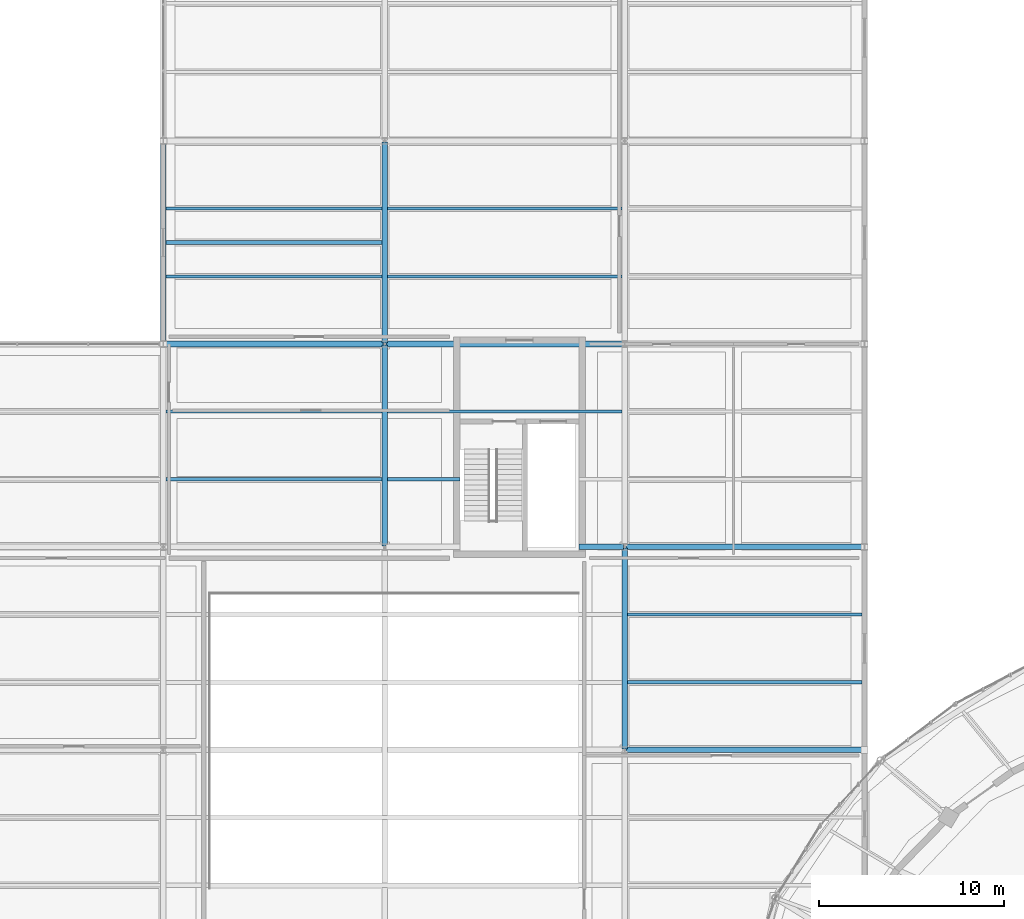
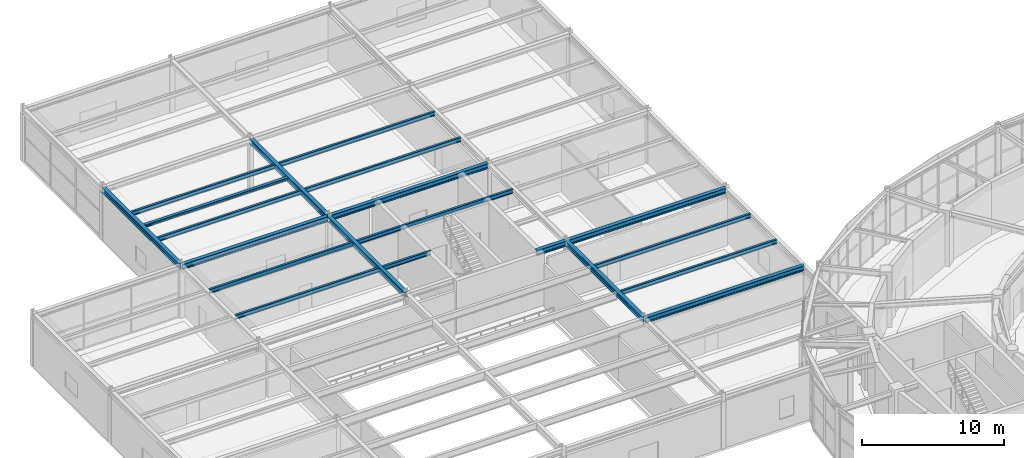
# One storey, part 45 of 100: 20 beams.
"""IFC4 building model written with IfcOpenShell, lengths in metres."""

from ifc_helpers import new_model, si_unit, direction, frame, origin, origin_2d, place, context, subcontext, project, spatial, i_section, extrude, material, material_profile, profile_set, type_object, element, save


model = new_model("IFC4")

# Units and contexts
model_context = context("Model", 3, precision=1e-05, world=origin(), true_north=direction((0.0, 1.0)))
body_context = subcontext(model_context, "Body", "Model", "MODEL_VIEW")
ifc_project = project(units=[si_unit("LENGTHUNIT", "METRE"), si_unit("AREAUNIT", "SQUARE_METRE"), si_unit("VOLUMEUNIT", "CUBIC_METRE"), si_unit("PLANEANGLEUNIT", "RADIAN"), si_unit("MASSUNIT", "GRAM", prefix="KILO")], contexts=[model_context])

# Site, building, storey
site_placement = place(None, origin())
site = spatial("IfcSite", under=ifc_project, at=site_placement, CompositionType="ELEMENT")
building_placement = place(site_placement, origin())
building = spatial("IfcBuilding", under=site, at=building_placement, Name="Tarnveldt Headland Concert Hall", CompositionType="ELEMENT")
storey_placement = place(building_placement, frame((0.0, 0.0, 4.800048828125)))
storey = spatial("IfcBuildingStorey", under=building, at=storey_placement, Name="L01", CompositionType="ELEMENT", Elevation=4.800048828125)

# Beams
ifc_material = material(Name="Steel S355", Category="steel")
ifc_material_profile_1 = material_profile(ifc_material, i_section(OverallWidth=0.239990234375, OverallDepth=0.22998046875, WebThickness=0.007568359375, FlangeThickness=0.011962890625, FilletRadius=0.02099609375, at=origin_2d()), Name="HEA240", Category="steel")
ifc_profile_set_1 = profile_set([ifc_material_profile_1], Name="Steel S355")
beam_type_1 = type_object("IfcBeamType", Name="SB-HEA240", PredefinedType="SPANDREL", material=ifc_profile_set_1)
beam_1_placement = place(storey_placement, frame((19.64990234375, 98.5, 4.425048828125), z_axis=(1.0, 0.0, 0.0), x_axis=(0.0, 1.0, 0.0)))
element("IfcBeam", 1, at=beam_1_placement, inside=storey, type_object=beam_type_1, Name="Framing beam L01-1455", PredefinedType="SPANDREL", context=body_context, shape_type="SweptSolid", body=[
    extrude(i_section(OverallWidth=0.239990234375, OverallDepth=0.22998046875, WebThickness=0.007568359375, FlangeThickness=0.011962890625, FilletRadius=0.02099609375, at=origin_2d()), origin(), (0.0, 0.0, 1.0), 11.7001953125),
])
ifc_material_profile_2 = material_profile(ifc_material, i_section(OverallWidth=0.300048828125, OverallDepth=0.449951171875, WebThickness=0.013916015625, FlangeThickness=0.02587890625, FilletRadius=0.027099609375, at=origin_2d()), Name="HEB450", Category="steel")
ifc_profile_set_2 = profile_set([ifc_material_profile_2], Name="Steel S355")
beam_type_2 = type_object("IfcBeamType", Name="SB-HEB450", PredefinedType="BEAM", material=ifc_profile_set_2)
beam_2_placement = place(storey_placement, frame((44.56005859375, 71.0, 4.31494140625), z_axis=(1.0, 0.0, 0.0), x_axis=(0.0, 1.0, 0.0)))
element("IfcBeam", 2, at=beam_2_placement, inside=storey, type_object=beam_type_2, Name="Framing beam L01-923", PredefinedType="BEAM", context=body_context, shape_type="SweptSolid", body=[
    extrude(i_section(OverallWidth=0.300048828125, OverallDepth=0.449951171875, WebThickness=0.013916015625, FlangeThickness=0.02587890625, FilletRadius=0.027099609375, at=origin_2d()), origin(), (0.0, 0.0, 1.0), 12.8798828125),
])
beam_3_placement = place(storey_placement, frame((42.02001953125, 82.0, 4.31494140625), z_axis=(1.0, 0.0, 0.0), x_axis=(0.0, 1.0, 0.0)))
element("IfcBeam", 3, at=beam_3_placement, inside=storey, type_object=beam_type_2, Name="Framing beam L01-927", PredefinedType="BEAM", context=body_context, shape_type="SweptSolid", body=[
    extrude(i_section(OverallWidth=0.300048828125, OverallDepth=0.449951171875, WebThickness=0.013916015625, FlangeThickness=0.02587890625, FilletRadius=0.027099609375, at=origin_2d()), origin(), (0.0, 0.0, 1.0), 2.419921875),
])
beam_4_placement = place(storey_placement, frame((44.56005859375, 82.0, 4.31494140625), z_axis=(1.0, 0.0, 0.0), x_axis=(0.0, 1.0, 0.0)))
element("IfcBeam", 4, at=beam_4_placement, inside=storey, type_object=beam_type_2, Name="Framing beam L01-928", PredefinedType="BEAM", context=body_context, shape_type="SweptSolid", body=[
    extrude(i_section(OverallWidth=0.300048828125, OverallDepth=0.449951171875, WebThickness=0.013916015625, FlangeThickness=0.02587890625, FilletRadius=0.027099609375, at=origin_2d()), origin(), (0.0, 0.0, 1.0), 12.8798828125),
])
beam_5_placement = place(storey_placement, frame((19.56005859375, 93.0, 4.31494140625), z_axis=(1.0, 0.0, 0.0), x_axis=(0.0, 1.0, 0.0)))
element("IfcBeam", 5, at=beam_5_placement, inside=storey, type_object=beam_type_2, Name="Framing beam L01-930", PredefinedType="BEAM", context=body_context, shape_type="SweptSolid", body=[
    extrude(i_section(OverallWidth=0.300048828125, OverallDepth=0.449951171875, WebThickness=0.013916015625, FlangeThickness=0.02587890625, FilletRadius=0.027099609375, at=origin_2d()), origin(), (0.0, 0.0, 1.0), 11.8798828125),
])
beam_6_placement = place(storey_placement, frame((31.56005859375, 93.0, 4.31494140625), z_axis=(1.0, 0.0, 0.0), x_axis=(0.0, 1.0, 0.0)))
element("IfcBeam", 6, at=beam_6_placement, inside=storey, type_object=beam_type_2, Name="Framing beam L01-931", PredefinedType="BEAM", context=body_context, shape_type="SweptSolid", body=[
    extrude(i_section(OverallWidth=0.300048828125, OverallDepth=0.449951171875, WebThickness=0.013916015625, FlangeThickness=0.02587890625, FilletRadius=0.027099609375, at=origin_2d()), origin(), (0.0, 0.0, 1.0), 12.8798828125),
])
for number, where, z_axis, x_axis, name in (
    (7, (19.5, 93.06005859375, 4.31494140625), (0.0, 1.0, 0.0), (-1.0, 0.0, 0.0), "Framing beam L01-957"),
    (8, (31.5, 82.06005859375, 4.31494140625), (0.0, 1.0, 0.0), (-1.0, 0.0, 0.0), "Framing beam L01-964"),
    (9, (31.5, 93.06005859375, 4.31494140625), (0.0, 1.0, 0.0), (-1.0, 0.0, 0.0), "Framing beam L01-968"),
    (10, (44.5, 71.06005859375, 4.31494140625), (0.0, 1.0, 0.0), (-1.0, 0.0, 0.0), "Framing beam L01-977"),
):
    element("IfcBeam", number, at=place(storey_placement, frame(where, z_axis=z_axis, x_axis=x_axis)), inside=storey, type_object=beam_type_2, Name=name, PredefinedType="BEAM", context=body_context, shape_type="SweptSolid", body=[
        extrude(i_section(OverallWidth=0.300048828125, OverallDepth=0.449951171875, WebThickness=0.013916015625, FlangeThickness=0.02587890625, FilletRadius=0.027099609375, at=origin_2d()), origin(), (0.0, 0.0, 1.0), 10.8798828125),
    ])
ifc_material_profile_3 = material_profile(ifc_material, i_section(OverallWidth=0.169921875, OverallDepth=0.360107421875, WebThickness=0.008056640625, FlangeThickness=0.0126953125, FilletRadius=0.01806640625, at=origin_2d()), Name="IPE360", Category="steel")
ifc_profile_set_3 = profile_set([ifc_material_profile_3], Name="Steel S355")
beam_type_3 = type_object("IfcBeamType", Name="SB-IPE360", PredefinedType="JOIST", material=ifc_profile_set_3)
for number, where, z_axis, x_axis, name in (
    (11, (19.64990234375, 85.6669921875, 4.35986328125), (1.0, 0.0, 0.0), (0.0, 1.0, 0.0), "Framing beam L01-955"),
    (12, (19.64990234375, 89.3330078125, 4.35986328125), (1.0, 0.0, 0.0), (0.0, 1.0, 0.0), "Framing beam L01-956"),
    (13, (19.64990234375, 96.6669921875, 4.35986328125), (1.0, 0.0, 0.0), (0.0, 1.0, 0.0), "Framing beam L01-958"),
    (14, (19.64990234375, 100.3330078125, 4.35986328125), (1.0, 0.0, 0.0), (0.0, 1.0, 0.0), "Framing beam L01-959"),
):
    element("IfcBeam", number, at=place(storey_placement, frame(where, z_axis=z_axis, x_axis=x_axis)), inside=storey, type_object=beam_type_3, Name=name, PredefinedType="JOIST", context=body_context, shape_type="SweptSolid", body=[
        extrude(i_section(OverallWidth=0.169921875, OverallDepth=0.360107421875, WebThickness=0.008056640625, FlangeThickness=0.0126953125, FilletRadius=0.01806640625, at=origin_2d()), origin(), (0.0, 0.0, 1.0), 11.7001953125),
    ])
beam_7_placement = place(storey_placement, frame((31.64990234375, 85.6669921875, 4.35986328125), z_axis=(1.0, 0.0, 0.0), x_axis=(0.0, 1.0, 0.0)))
element("IfcBeam", 15, at=beam_7_placement, inside=storey, type_object=beam_type_3, Name="Framing beam L01-965", PredefinedType="JOIST", context=body_context, shape_type="SweptSolid", body=[
    extrude(i_section(OverallWidth=0.169921875, OverallDepth=0.360107421875, WebThickness=0.008056640625, FlangeThickness=0.0126953125, FilletRadius=0.01806640625, at=origin_2d()), origin(), (0.0, 0.0, 1.0), 3.93017578125),
])
for number, where, z_axis, x_axis, name in (
    (16, (31.64990234375, 89.3330078125, 4.35986328125), (1.0, 0.0, 0.0), (0.0, 1.0, 0.0), "Framing beam L01-967"),
    (17, (31.64990234375, 96.6669921875, 4.35986328125), (1.0, 0.0, 0.0), (0.0, 1.0, 0.0), "Framing beam L01-969"),
    (18, (31.64990234375, 100.3330078125, 4.35986328125), (1.0, 0.0, 0.0), (0.0, 1.0, 0.0), "Framing beam L01-970"),
    (19, (44.64990234375, 74.6669921875, 4.35986328125), (1.0, 0.0, 0.0), (0.0, 1.0, 0.0), "Framing beam L01-978"),
    (20, (44.64990234375, 78.3330078125, 4.35986328125), (1.0, 0.0, 0.0), (0.0, 1.0, 0.0), "Framing beam L01-979"),
):
    element("IfcBeam", number, at=place(storey_placement, frame(where, z_axis=z_axis, x_axis=x_axis)), inside=storey, type_object=beam_type_3, Name=name, PredefinedType="JOIST", context=body_context, shape_type="SweptSolid", body=[
        extrude(i_section(OverallWidth=0.169921875, OverallDepth=0.360107421875, WebThickness=0.008056640625, FlangeThickness=0.0126953125, FilletRadius=0.01806640625, at=origin_2d()), origin(), (0.0, 0.0, 1.0), 12.7001953125),
    ])

save(model, "model.ifc")
